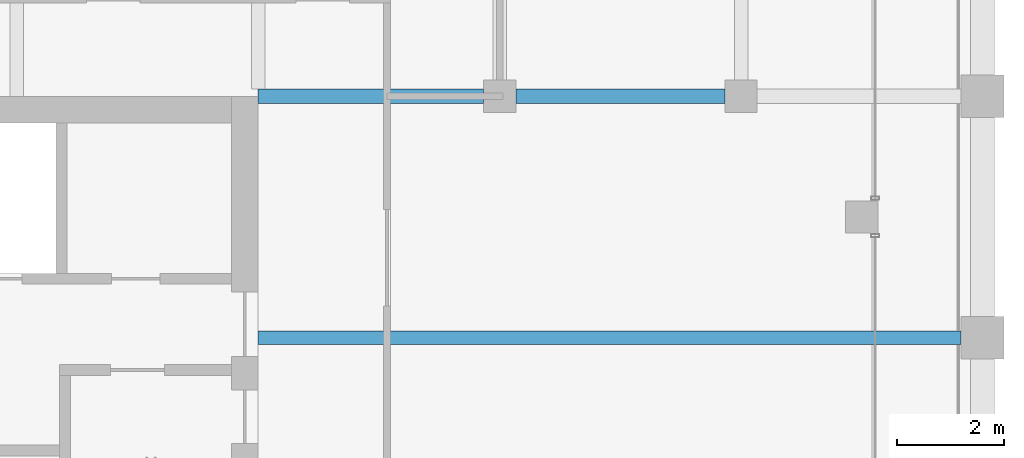
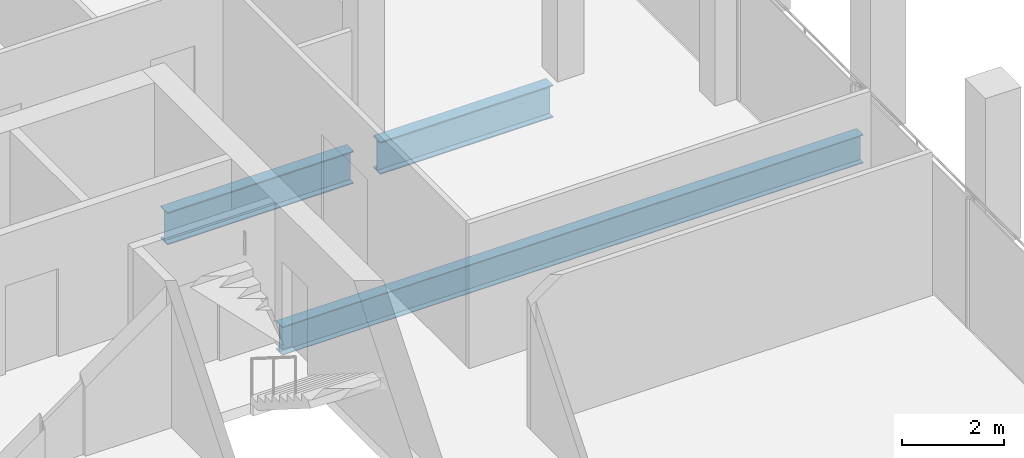
# One storey, part 18 of 30: 3 beams.
"""IFC4 building model written with IfcOpenShell, lengths in metres."""

from ifc_helpers import new_model, si_unit, direction, frame, origin, origin_2d, place, context, subcontext, project, spatial, i_section, extrude, material, material_profile, profile_set, type_object, element, save


model = new_model("IFC4")

# Units and contexts
model_context = context("Model", 3, precision=1e-05, world=origin(), true_north=direction((0.0, 1.0)))
body_context = subcontext(model_context, "Body", "Model", "MODEL_VIEW")
ifc_project = project(units=[si_unit("LENGTHUNIT", "METRE"), si_unit("AREAUNIT", "SQUARE_METRE"), si_unit("VOLUMEUNIT", "CUBIC_METRE"), si_unit("PLANEANGLEUNIT", "RADIAN"), si_unit("MASSUNIT", "GRAM", prefix="KILO")], contexts=[model_context])

# Site, building, storey
site_placement = place(None, origin())
site = spatial("IfcSite", under=ifc_project, at=site_placement, CompositionType="ELEMENT")
building_placement = place(site_placement, origin())
building = spatial("IfcBuilding", under=site, at=building_placement, Name="Altepetl Exchange Towers", CompositionType="ELEMENT")
storey_placement = place(building_placement, frame((0.0, 0.0, 224.39990234375)))
storey = spatial("IfcBuildingStorey", under=building, at=storey_placement, Name="L57", CompositionType="ELEMENT", Elevation=224.39990234375)

# Beams
ifc_material = material(Name="Steel S355", Category="steel")
ifc_material_profile_1 = material_profile(ifc_material, i_section(OverallWidth=0.2529296875, OverallDepth=0.677978515625, WebThickness=0.01171875, FlangeThickness=0.016357421875, at=origin_2d()), Name="W27X84")
ifc_profile_set_1 = profile_set([ifc_material_profile_1], Name="Steel S355")
beam_type_1 = type_object("IfcBeamType", Name="Floor beam W27X84", PredefinedType="BEAM", material=ifc_profile_set_1)
beam_1_placement = place(storey_placement, frame((58.5, 54.0, -0.489013671875), z_axis=(1.0, 0.0, 0.0), x_axis=(0.0, 1.0, 0.0)))
element("IfcBeam", 1, at=beam_1_placement, inside=storey, type_object=beam_type_1, Name="bm:A:L57:011", PredefinedType="BEAM", context=body_context, shape_type="SweptSolid", body=[
    extrude(i_section(OverallWidth=0.2529296875, OverallDepth=0.677978515625, WebThickness=0.01171875, FlangeThickness=0.016357421875, at=origin_2d()), origin(), (0.0, 0.0, 1.0), 13.10009765625),
])
ifc_material_profile_2 = material_profile(ifc_material, i_section(OverallWidth=0.26806640625, OverallDepth=0.77392578125, WebThickness=0.015380859375, FlangeThickness=0.025390625, at=origin_2d()), Name="W30X132")
ifc_profile_set_2 = profile_set([ifc_material_profile_2], Name="Steel S355")
beam_type_2 = type_object("IfcBeamType", Name="Girder W30X132", PredefinedType="BEAM", material=ifc_profile_set_2)
beam_2_placement = place(storey_placement, frame((58.5, 58.5, -0.536865234375), z_axis=(1.0, 0.0, 0.0), x_axis=(0.0, 1.0, 0.0)))
element("IfcBeam", 2, at=beam_2_placement, inside=storey, type_object=beam_type_2, Name="gd:A:L57:000", PredefinedType="BEAM", context=body_context, shape_type="SweptSolid", body=[
    extrude(i_section(OverallWidth=0.26806640625, OverallDepth=0.77392578125, WebThickness=0.015380859375, FlangeThickness=0.025390625, at=origin_2d()), origin(), (0.0, 0.0, 1.0), 4.199951171875),
])
beam_3_placement = place(storey_placement, frame((63.300048828125, 58.5, -0.536865234375), z_axis=(1.0, 0.0, 0.0), x_axis=(0.0, 1.0, 0.0)))
element("IfcBeam", 3, at=beam_3_placement, inside=storey, type_object=beam_type_2, Name="gd:A:L57:001", PredefinedType="BEAM", context=body_context, shape_type="SweptSolid", body=[
    extrude(i_section(OverallWidth=0.26806640625, OverallDepth=0.77392578125, WebThickness=0.015380859375, FlangeThickness=0.025390625, at=origin_2d()), origin(), (0.0, 0.0, 1.0), 3.89990234375),
])

save(model, "model.ifc")
